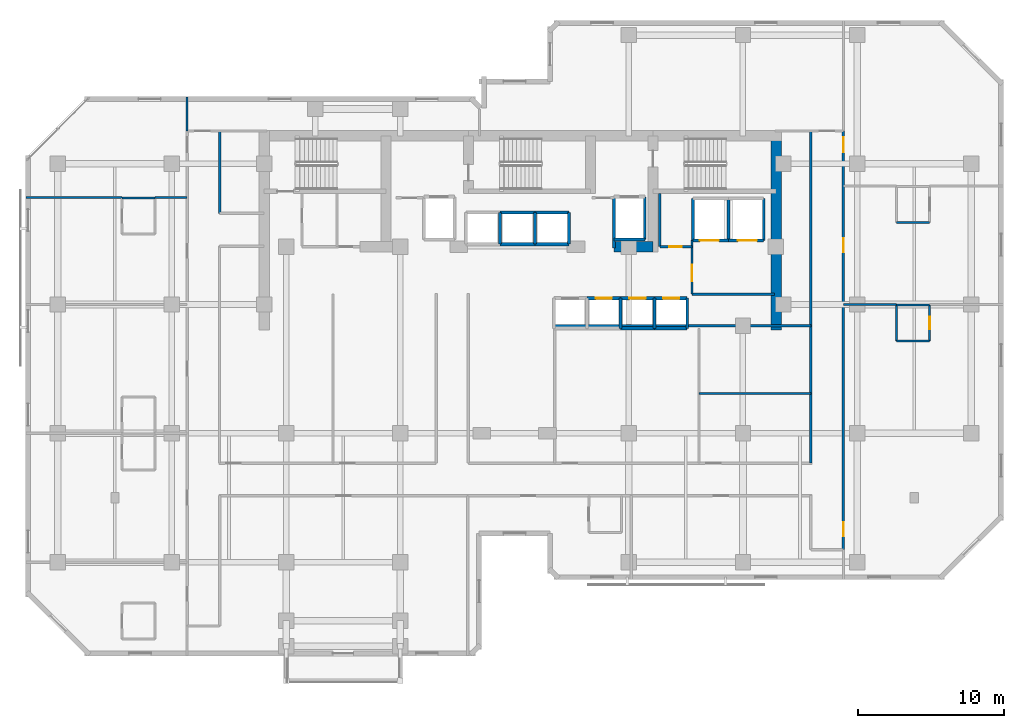
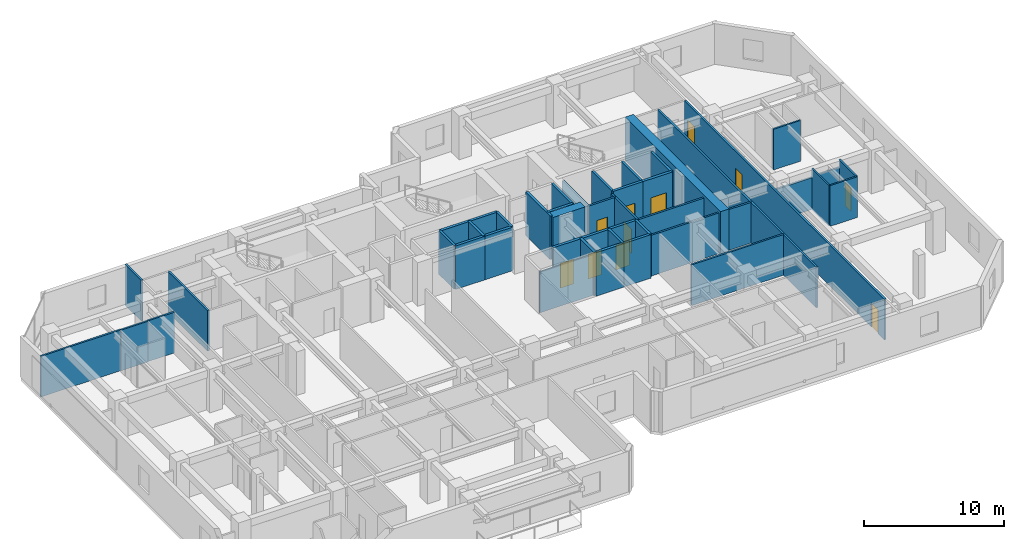
# One storey, part 7 of 11: 44 walls, 11 doors, 11 openings.
"""IFC4 building model written with IfcOpenShell, lengths in metres."""

from ifc_helpers import new_model, si_unit, direction, frame, frame_2d, origin, place, context, subcontext, project, spatial, rectangle, extrude, material, layer, layer_set, type_object, element, fill, save


model = new_model("IFC4")

# Units and contexts
model_context = context("Model", 3, precision=1e-05, world=origin(), true_north=direction((0.0, 1.0)))
body_context = subcontext(model_context, "Body", "Model", "MODEL_VIEW")
ifc_project = project(units=[si_unit("LENGTHUNIT", "METRE"), si_unit("AREAUNIT", "SQUARE_METRE"), si_unit("VOLUMEUNIT", "CUBIC_METRE"), si_unit("PLANEANGLEUNIT", "RADIAN"), si_unit("MASSUNIT", "GRAM", prefix="KILO")], contexts=[model_context])

# Site, building, storey
site_placement = place(None, origin())
site = spatial("IfcSite", under=ifc_project, at=site_placement, CompositionType="ELEMENT")
building_placement = place(site_placement, origin())
building = spatial("IfcBuilding", under=site, at=building_placement, Name="Kestravale Grand Hotel", CompositionType="ELEMENT")
storey_placement = place(building_placement, frame((0.0, 0.0, 165.0)))
storey = spatial("IfcBuildingStorey", under=building, at=storey_placement, Name="L41", CompositionType="ELEMENT", Elevation=165.0)

# Walls
ifc_material_1 = material(Name="Concrete f'c 60 MPa", Category="concrete")
ifc_layer_1 = layer(ifc_material_1, 0.699951171875)
ifc_layer_set_1 = layer_set([ifc_layer_1], Name="EW-CORE-700")
wall_type_1 = type_object("IfcWallType", Name="EW-CORE-700", PredefinedType="SHEAR", material=ifc_layer_set_1)
wall_1_placement = place(storey_placement, frame((56.8701171875, 27.050048828125, 0.0), z_axis=(0.0, 0.0, 1.0), x_axis=(0.0, 1.0, 0.0)))
element("IfcWall", 1, at=wall_1_placement, inside=storey, type_object=wall_type_1, Name="L41 core shear wall E1", PredefinedType="SHEAR", context=body_context, shape_type="SweptSolid", body=[
    extrude(rectangle(XDim=13.619873046875, YDim=0.699951171875, at=frame_2d((6.81005859375, 0.0))), origin(), (0.0, 0.0, 1.0), 3.800048828125),
])
wall_2_placement = place(storey_placement, frame((45.81005859375, 32.75, 0.0), z_axis=(0.0, 0.0, 1.0), x_axis=(1.0, 0.0, 0.0)))
element("IfcWall", 2, at=wall_2_placement, inside=storey, type_object=wall_type_1, Name="L41 core shear wall S2", PredefinedType="SHEAR", context=body_context, shape_type="SweptSolid", body=[
    extrude(rectangle(XDim=2.639892578125, YDim=0.699951171875, at=frame_2d((1.31982421875, 0.0))), origin(), (0.0, 0.0, 1.0), 3.800048828125),
])

# Wall, opening, door
ifc_material_2 = material(Name="Acoustic fire-rated gypsum board partition", Category="other")
ifc_layer_2 = layer(ifc_material_2, 0.159912109375)
ifc_layer_set_2 = layer_set([ifc_layer_2], Name="IW-CORR-160")
wall_type_2 = type_object("IfcWallType", Name="IW-CORR-160", PredefinedType="PARTITIONING", material=ifc_layer_set_2)
wall_3_placement = place(storey_placement, frame((51.1201171875, 29.5, 0.0), z_axis=(0.0, 0.0, 1.0), x_axis=(0.0, 1.0, 0.0)))
wall_3 = element("IfcWall", 3, at=wall_3_placement, inside=storey, type_object=wall_type_2, Name="W-L41-SVCLOB-W", PredefinedType="PARTITIONING", context=body_context, shape_type="SweptSolid", body=[
    extrude(rectangle(XDim=3.699951171875, YDim=0.159912109375, at=frame_2d((1.85009765625, 0.0))), origin(), (0.0, 0.0, 1.0), 3.550048828125),
])
opening_1_placement = place(wall_3_placement, frame((0.89990234375, 0.0, 0.0)))
opening_1 = element("IfcOpeningElement", 4, at=opening_1_placement, cuts=wall_3, Name="Opening D-CORR-1100", PredefinedType="OPENING", context=body_context, shape_type="SweptSolid", body=[
    extrude(rectangle(XDim=1.10009765625, YDim=2.14990234375, at=frame_2d((0.550048828125, 1.074951171875))), frame((0.0, 0.08984375, 0.0), z_axis=(0.0, -1.0, 0.0), x_axis=(1.0, 0.0, 0.0)), (0.0, 0.0, 1.0), 0.179931640625),
])
ifc_material_3 = material(Name="Single-leaf service vestibule fire door", Category="steel")
door_type_1 = type_object("IfcDoorType", Name="D-CORR-1100", OperationType="NOTDEFINED", PredefinedType="DOOR", material=ifc_material_3)
door_1_placement = place(opening_1_placement, origin())
door_1 = element("IfcDoor", 5, at=door_1_placement, inside=storey, type_object=door_type_1, Name="L41 service lift lobby door", OperationType="SINGLE_SWING_LEFT", OverallHeight=2.14990234375, OverallWidth=1.10009765625, PredefinedType="DOOR", context=body_context, shape_type="SweptSolid", body=[
    extrude(rectangle(XDim=1.10009765625, YDim=2.14990234375, at=frame_2d((0.550048828125, 1.074951171875))), frame((0.0, 0.02490234375, 0.0), z_axis=(0.0, -1.0, 0.0), x_axis=(1.0, 0.0, 0.0)), (0.0, 0.0, 1.0), 0.050048828125),
])
fill(opening_1, door_1)

# Wall
wall_4_placement = place(storey_placement, frame((51.1201171875, 29.5, 0.0), z_axis=(0.0, 0.0, 1.0), x_axis=(1.0, 0.0, 0.0)))
element("IfcWall", 6, at=wall_4_placement, inside=storey, type_object=wall_type_2, Name="L41 service lift lobby wall", PredefinedType="PARTITIONING", context=body_context, shape_type="SweptSolid", body=[
    extrude(rectangle(XDim=5.6298828125, YDim=0.159912109375, at=frame_2d((2.81494140625, 0.0))), origin(), (0.0, 0.0, 1.0), 3.550048828125),
])

# Wall, opening, door
wall_5_placement = place(storey_placement, frame((48.919921875, 32.75, 0.0), z_axis=(0.0, 0.0, 1.0), x_axis=(1.0, 0.0, 0.0)))
wall_5 = element("IfcWall", 7, at=wall_5_placement, inside=storey, type_object=wall_type_2, Name="W-L41-CES", PredefinedType="PARTITIONING", context=body_context, shape_type="SweptSolid", body=[
    extrude(rectangle(XDim=2.2001953125, YDim=0.159912109375, at=frame_2d((1.10009765625, 0.0))), origin(), (0.0, 0.0, 1.0), 3.550048828125),
])
opening_2_placement = place(wall_5_placement, frame((0.64990234375, 0.0, 0.0)))
opening_2 = element("IfcOpeningElement", 8, at=opening_2_placement, cuts=wall_5, Name="Opening D-SH-860", PredefinedType="OPENING", context=body_context, shape_type="SweptSolid", body=[
    extrude(rectangle(XDim=0.860107421875, YDim=2.050048828125, at=frame_2d((0.43017578125, 1.02490234375))), frame((0.0, 0.08984375, 0.0), z_axis=(0.0, -1.0, 0.0), x_axis=(1.0, 0.0, 0.0)), (0.0, 0.0, 1.0), 0.179931640625),
])
ifc_material_4 = material(Name="Galvanised 90-minute riser fire door", Category="steel")
door_type_2 = type_object("IfcDoorType", Name="D-SH-860", OperationType="NOTDEFINED", PredefinedType="DOOR", material=ifc_material_4)
door_2_placement = place(opening_2_placement, origin())
door_2 = element("IfcDoor", 9, at=door_2_placement, inside=storey, type_object=door_type_2, Name="L41 CSTO1 door", OperationType="SINGLE_SWING_RIGHT", OverallHeight=2.050048828125, OverallWidth=0.860107421875, PredefinedType="DOOR", context=body_context, shape_type="SweptSolid", body=[
    extrude(rectangle(XDim=0.860107421875, YDim=2.050048828125, at=frame_2d((0.43017578125, 1.02490234375))), frame((0.0, 0.02490234375, 0.0), z_axis=(0.0, -1.0, 0.0), x_axis=(1.0, 0.0, 0.0)), (0.0, 0.0, 1.0), 0.050048828125),
])
fill(opening_2, door_2)

# Wall
wall_6_placement = place(storey_placement, frame((18.860107421875, 35.02001953125, 0.0), z_axis=(0.0, 0.0, 1.0), x_axis=(0.0, 1.0, 0.0)))
element("IfcWall", 10, at=wall_6_placement, inside=storey, type_object=wall_type_2, Name="W-L41-SW-EN", PredefinedType="PARTITIONING", context=body_context, shape_type="SweptSolid", body=[
    extrude(rectangle(XDim=5.6298828125, YDim=0.159912109375, at=frame_2d((2.81494140625, 0.0))), origin(), (0.0, 0.0, 1.0), 3.550048828125),
])

# Wall, openings, doors
wall_7_placement = place(storey_placement, frame((61.4599609375, 12.050048828125, 0.0), z_axis=(0.0, 0.0, 1.0), x_axis=(0.0, 1.0, 0.0)))
wall_7 = element("IfcWall", 11, at=wall_7_placement, inside=storey, type_object=wall_type_2, Name="W-L41-SE-E", PredefinedType="PARTITIONING", context=body_context, shape_type="SweptSolid", body=[
    extrude(rectangle(XDim=28.599853515625, YDim=0.159912109375, at=frame_2d((14.2998046875, 0.0))), origin(), (0.0, 0.0, 1.0), 3.550048828125),
])
opening_3_placement = place(wall_7_placement, frame((0.925048828125, 0.0, 0.0)))
opening_3 = element("IfcOpeningElement", 12, at=opening_3_placement, cuts=wall_7, Name="Opening D-GUEST-950", PredefinedType="OPENING", context=body_context, shape_type="SweptSolid", body=[
    extrude(rectangle(XDim=0.949951171875, YDim=2.10009765625, at=frame_2d((0.47509765625, 1.050048828125))), frame((0.0, 0.08984375, 0.0), z_axis=(0.0, -1.0, 0.0), x_axis=(1.0, 0.0, 0.0)), (0.0, 0.0, 1.0), 0.179931640625),
])
opening_4_placement = place(wall_7_placement, frame((20.324951171875, 0.0, 0.0)))
opening_4 = element("IfcOpeningElement", 13, at=opening_4_placement, cuts=wall_7, Name="Opening D-GUEST-950", PredefinedType="OPENING", context=body_context, shape_type="SweptSolid", body=[
    extrude(rectangle(XDim=0.949951171875, YDim=2.10009765625, at=frame_2d((0.47509765625, 1.050048828125))), frame((0.0, 0.08984375, 0.0), z_axis=(0.0, -1.0, 0.0), x_axis=(1.0, 0.0, 0.0)), (0.0, 0.0, 1.0), 0.179931640625),
])
opening_5_placement = place(wall_7_placement, frame((27.159912109375, 0.0, 0.0)))
opening_5 = element("IfcOpeningElement", 14, at=opening_5_placement, cuts=wall_7, Name="Opening D-GUEST-1000", PredefinedType="OPENING", context=body_context, shape_type="SweptSolid", body=[
    extrude(rectangle(XDim=1.0, YDim=2.14990234375, at=frame_2d((0.5, 1.074951171875))), frame((0.0, 0.08984375, 0.0), z_axis=(0.0, -1.0, 0.0), x_axis=(1.0, 0.0, 0.0)), (0.0, 0.0, 1.0), 0.179931640625),
])
ifc_material_5 = material(Name="Accessible walnut veneer hotel entrance fire door", Category="wood")
door_type_3 = type_object("IfcDoorType", Name="D-GUEST-1000", OperationType="NOTDEFINED", PredefinedType="DOOR", material=ifc_material_5)
door_3_placement = place(opening_5_placement, origin())
door_3 = element("IfcDoor", 15, at=door_3_placement, inside=storey, type_object=door_type_3, Name="D-L41-AMEW", OperationType="SINGLE_SWING_RIGHT", OverallHeight=2.14990234375, OverallWidth=1.0, PredefinedType="DOOR", context=body_context, shape_type="SweptSolid", body=[
    extrude(rectangle(XDim=1.0, YDim=2.14990234375, at=frame_2d((0.5, 1.074951171875))), frame((0.0, 0.02490234375, 0.0), z_axis=(0.0, -1.0, 0.0), x_axis=(1.0, 0.0, 0.0)), (0.0, 0.0, 1.0), 0.050048828125),
])
fill(opening_5, door_3)
ifc_material_6 = material(Name="Walnut veneer hotel guestroom entrance fire door", Category="wood")
door_type_4 = type_object("IfcDoorType", Name="D-GUEST-950", OperationType="NOTDEFINED", PredefinedType="DOOR", material=ifc_material_6)
door_4_placement = place(opening_3_placement, origin())
door_4 = element("IfcDoor", 16, at=door_4_placement, inside=storey, type_object=door_type_4, Name="D-L41-U06-ENT", OperationType="SINGLE_SWING_LEFT", OverallHeight=2.10009765625, OverallWidth=0.949951171875, PredefinedType="DOOR", context=body_context, shape_type="SweptSolid", body=[
    extrude(rectangle(XDim=0.949951171875, YDim=2.10009765625, at=frame_2d((0.47509765625, 1.050048828125))), frame((0.0, 0.02490234375, 0.0), z_axis=(0.0, -1.0, 0.0), x_axis=(1.0, 0.0, 0.0)), (0.0, 0.0, 1.0), 0.050048828125),
])
fill(opening_3, door_4)
door_5_placement = place(opening_4_placement, origin())
door_5 = element("IfcDoor", 17, at=door_5_placement, inside=storey, type_object=door_type_4, Name="D-L41-U07-ENT", OperationType="SINGLE_SWING_LEFT", OverallHeight=2.10009765625, OverallWidth=0.949951171875, PredefinedType="DOOR", context=body_context, shape_type="SweptSolid", body=[
    extrude(rectangle(XDim=0.949951171875, YDim=2.10009765625, at=frame_2d((0.47509765625, 1.050048828125))), frame((0.0, 0.02490234375, 0.0), z_axis=(0.0, -1.0, 0.0), x_axis=(1.0, 0.0, 0.0)), (0.0, 0.0, 1.0), 0.050048828125),
])
fill(opening_4, door_5)

# Walls
wall_8_placement = place(storey_placement, frame((59.239990234375, 17.9599609375, 0.0), z_axis=(0.0, 0.0, 1.0), x_axis=(0.0, 1.0, 0.0)))
element("IfcWall", 18, at=wall_8_placement, inside=storey, type_object=wall_type_2, Name="W-L41-SE-WU", PredefinedType="PARTITIONING", context=body_context, shape_type="SweptSolid", body=[
    extrude(rectangle(XDim=22.68994140625, YDim=0.159912109375, at=frame_2d((11.344970703125, 0.0))), origin(), (0.0, 0.0, 1.0), 3.550048828125),
])
ifc_material_7 = material(Name="Moisture-resistant tile-backer plumbing chase wall", Category="other")
ifc_layer_3 = layer(ifc_material_7, 0.139892578125)
ifc_layer_set_3 = layer_set([ifc_layer_3], Name="IW-PLB-140")
wall_type_3 = type_object("IfcWallType", Name="IW-PLB-140", PredefinedType="PLUMBINGWALL", material=ifc_layer_set_3)
wall_9_placement = place(storey_placement, frame((12.199951171875, 36.06005859375, 0.0), z_axis=(0.0, 0.0, 1.0), x_axis=(1.0, 0.0, 0.0)))
element("IfcWall", 19, at=wall_9_placement, inside=storey, type_object=wall_type_3, Name="W-L41-U05-BN", PredefinedType="PLUMBINGWALL", context=body_context, shape_type="SweptSolid", body=[
    extrude(rectangle(XDim=2.25, YDim=0.139892578125, at=frame_2d((1.125, 0.0))), origin(), (0.0, 0.0, 1.0), 3.550048828125),
])
wall_10_placement = place(storey_placement, frame((65.10009765625, 26.31005859375, 0.0), z_axis=(0.0, 0.0, 1.0), x_axis=(0.0, 1.0, 0.0)))
element("IfcWall", 20, at=wall_10_placement, inside=storey, type_object=wall_type_3, Name="W-L41-U06-BW", PredefinedType="PLUMBINGWALL", context=body_context, shape_type="SweptSolid", body=[
    extrude(rectangle(XDim=2.449951171875, YDim=0.139892578125, at=frame_2d((1.22509765625, 0.0))), origin(), (0.0, 0.0, 1.0), 3.550048828125),
])

# Wall, opening, door
wall_11_placement = place(storey_placement, frame((67.35009765625, 26.31005859375, 0.0), z_axis=(0.0, 0.0, 1.0), x_axis=(0.0, 1.0, 0.0)))
wall_11 = element("IfcWall", 21, at=wall_11_placement, inside=storey, type_object=wall_type_3, Name="W-L41-U06-BE", PredefinedType="PLUMBINGWALL", context=body_context, shape_type="SweptSolid", body=[
    extrude(rectangle(XDim=2.449951171875, YDim=0.139892578125, at=frame_2d((1.22509765625, 0.0))), origin(), (0.0, 0.0, 1.0), 3.550048828125),
])
opening_6_placement = place(wall_11_placement, frame((0.784912109375, 0.0, 0.0)))
opening_6 = element("IfcOpeningElement", 22, at=opening_6_placement, cuts=wall_11, Name="Opening D-BATH-880", PredefinedType="OPENING", context=body_context, shape_type="SweptSolid", body=[
    extrude(rectangle(XDim=0.8798828125, YDim=2.050048828125, at=frame_2d((0.43994140625, 1.02490234375))), frame((0.0, 0.079833984375, 0.0), z_axis=(0.0, -1.0, 0.0), x_axis=(1.0, 0.0, 0.0)), (0.0, 0.0, 1.0), 0.159912109375),
])
ifc_material_8 = material(Name="Moisture-sealed walnut en-suite bathroom door", Category="wood")
door_type_5 = type_object("IfcDoorType", Name="D-BATH-880", OperationType="NOTDEFINED", PredefinedType="DOOR", material=ifc_material_8)
door_6_placement = place(opening_6_placement, origin())
door_6 = element("IfcDoor", 23, at=door_6_placement, inside=storey, type_object=door_type_5, Name="D-L41-U06-BATH", OperationType="SINGLE_SWING_RIGHT", OverallHeight=2.050048828125, OverallWidth=0.8798828125, PredefinedType="DOOR", context=body_context, shape_type="SweptSolid", body=[
    extrude(rectangle(XDim=0.8798828125, YDim=2.050048828125, at=frame_2d((0.43994140625, 1.02490234375))), frame((0.0, 0.02490234375, 0.0), z_axis=(0.0, -1.0, 0.0), x_axis=(1.0, 0.0, 0.0)), (0.0, 0.0, 1.0), 0.050048828125),
])
fill(opening_6, door_6)

# Walls
wall_12_placement = place(storey_placement, frame((65.10009765625, 26.31005859375, 0.0), z_axis=(0.0, 0.0, 1.0), x_axis=(1.0, 0.0, 0.0)))
element("IfcWall", 24, at=wall_12_placement, inside=storey, type_object=wall_type_3, Name="W-L41-U06-BS", PredefinedType="PLUMBINGWALL", context=body_context, shape_type="SweptSolid", body=[
    extrude(rectangle(XDim=2.25, YDim=0.139892578125, at=frame_2d((1.125, 0.0))), origin(), (0.0, 0.0, 1.0), 3.550048828125),
])
wall_13_placement = place(storey_placement, frame((65.10009765625, 28.760009765625, 0.0), z_axis=(0.0, 0.0, 1.0), x_axis=(1.0, 0.0, 0.0)))
element("IfcWall", 25, at=wall_13_placement, inside=storey, type_object=wall_type_3, Name="W-L41-U06-BN", PredefinedType="PLUMBINGWALL", context=body_context, shape_type="SweptSolid", body=[
    extrude(rectangle(XDim=2.25, YDim=0.139892578125, at=frame_2d((1.125, 0.0))), origin(), (0.0, 0.0, 1.0), 2.89990234375),
])
wall_14_placement = place(storey_placement, frame((65.10009765625, 34.409912109375, 0.0), z_axis=(0.0, 0.0, 1.0), x_axis=(1.0, 0.0, 0.0)))
element("IfcWall", 26, at=wall_14_placement, inside=storey, type_object=wall_type_3, Name="W-L41-U07-BS", PredefinedType="PLUMBINGWALL", context=body_context, shape_type="SweptSolid", body=[
    extrude(rectangle(XDim=2.25, YDim=0.139892578125, at=frame_2d((1.125, 0.0))), origin(), (0.0, 0.0, 1.0), 3.550048828125),
])
ifc_material_9 = material(Name="Concrete f'c 45 MPa", Category="concrete")
ifc_layer_4 = layer(ifc_material_9, 0.199951171875)
ifc_layer_set_4 = layer_set([ifc_layer_4], Name="IW-SHAFT-200")
wall_type_4 = type_object("IfcWallType", Name="IW-SHAFT-200", PredefinedType="SHEAR", material=ifc_layer_set_4)
for number, where, z_axis, x_axis, name in (
    (27, (46.25, 27.169921875, 0.0), (0.0, 0.0, 1.0), (0.0, 1.0, 0.0), "L41 PL-M3 west shaft wall"),
    (28, (48.550048828125, 27.169921875, 0.0), (0.0, 0.0, 1.0), (0.0, 1.0, 0.0), "L41 PL-M4 west shaft wall"),
    (29, (50.794921875, 27.169921875, 0.0), (0.0, 0.0, 1.0), (0.0, 1.0, 0.0), "L41 PL-M4 east shaft wall"),
):
    element("IfcWall", number, at=place(storey_placement, frame(where, z_axis=z_axis, x_axis=x_axis)), inside=storey, type_object=wall_type_4, Name=name, PredefinedType="SHEAR", context=body_context, shape_type="SweptSolid", body=[
        extrude(rectangle(XDim=2.06005859375, YDim=0.199951171875, at=frame_2d((1.030029296875, 0.0))), origin(), (0.0, 0.0, 1.0), 3.800048828125),
    ])
for number, where, z_axis, x_axis, name in (
    (30, (38.0, 32.919921875, 0.0), (0.0, 0.0, 1.0), (0.0, 1.0, 0.0), "L41 PL-X2 west shaft wall"),
    (31, (40.39990234375, 32.919921875, 0.0), (0.0, 0.0, 1.0), (0.0, 1.0, 0.0), "L41 PL-X3 west shaft wall"),
    (32, (42.719970703125, 32.919921875, 0.0), (0.0, 0.0, 1.0), (0.0, 1.0, 0.0), "L41 PL-X3 east shaft wall"),
):
    element("IfcWall", number, at=place(storey_placement, frame(where, z_axis=z_axis, x_axis=x_axis)), inside=storey, type_object=wall_type_4, Name=name, PredefinedType="SHEAR", context=body_context, shape_type="SweptSolid", body=[
        extrude(rectangle(XDim=2.16015625, YDim=0.199951171875, at=frame_2d((1.080078125, 0.0))), origin(), (0.0, 0.0, 1.0), 3.800048828125),
    ])
for number, where, z_axis, x_axis, name in (
    (33, (51.179931640625, 33.169921875, 0.0), (0.0, 0.0, 1.0), (0.0, 1.0, 0.0), "L41 SL-1 west shaft wall"),
    (34, (53.60009765625, 33.169921875, 0.0), (0.0, 0.0, 1.0), (0.0, 1.0, 0.0), "L41 SL-2 west shaft wall"),
    (35, (56.02001953125, 33.169921875, 0.0), (0.0, 0.0, 1.0), (0.0, 1.0, 0.0), "L41 SL-2 east shaft wall"),
):
    element("IfcWall", number, at=place(storey_placement, frame(where, z_axis=z_axis, x_axis=x_axis)), inside=storey, type_object=wall_type_4, Name=name, PredefinedType="SHEAR", context=body_context, shape_type="SweptSolid", body=[
        extrude(rectangle(XDim=2.860107421875, YDim=0.199951171875, at=frame_2d((1.43017578125, 0.0))), origin(), (0.0, 0.0, 1.0), 3.800048828125),
    ])
wall_15_placement = place(storey_placement, frame((45.804931640625, 32.64990234375, 0.0), z_axis=(0.0, 0.0, 1.0), x_axis=(0.0, 1.0, 0.0)))
element("IfcWall", 36, at=wall_15_placement, inside=storey, type_object=wall_type_4, Name="L41 FL-2 west shaft wall", PredefinedType="SHEAR", context=body_context, shape_type="SweptSolid", body=[
    extrude(rectangle(XDim=3.505126953125, YDim=0.199951171875, at=frame_2d((1.75244140625, 0.0))), origin(), (0.0, 0.0, 1.0), 3.800048828125),
])
wall_16_placement = place(storey_placement, frame((47.89501953125, 33.2451171875, 0.0), z_axis=(0.0, 0.0, 1.0), x_axis=(0.0, 1.0, 0.0)))
element("IfcWall", 37, at=wall_16_placement, inside=storey, type_object=wall_type_4, Name="L41 FL-2 east shaft wall", PredefinedType="SHEAR", context=body_context, shape_type="SweptSolid", body=[
    extrude(rectangle(XDim=2.909912109375, YDim=0.199951171875, at=frame_2d((1.455078125, 0.0))), origin(), (0.0, 0.0, 1.0), 3.800048828125),
])

# Wall, opening, door
ifc_material_10 = material(Name="Concrete f'c 45 MPa", Category="concrete")
ifc_layer_5 = layer(ifc_material_10, 0.219970703125)
ifc_layer_set_5 = layer_set([ifc_layer_5], Name="IW-SHAFT-220")
wall_type_5 = type_object("IfcWallType", Name="IW-SHAFT-220", PredefinedType="SHEAR", material=ifc_layer_set_5)
wall_17_placement = place(storey_placement, frame((43.949951171875, 29.22998046875, 0.0), z_axis=(0.0, 0.0, 1.0), x_axis=(1.0, 0.0, 0.0)))
wall_17 = element("IfcWall", 38, at=wall_17_placement, inside=storey, type_object=wall_type_5, Name="L41 PL-M2 north shaft wall", PredefinedType="SHEAR", context=body_context, shape_type="SweptSolid", body=[
    extrude(rectangle(XDim=2.300048828125, YDim=0.219970703125, at=frame_2d((1.14990234375, 0.0))), origin(), (0.0, 0.0, 1.0), 3.800048828125),
])
opening_7_placement = place(wall_17_placement, frame((0.60009765625, 0.0, 0.0)))
opening_7 = element("IfcOpeningElement", 39, at=opening_7_placement, cuts=wall_17, Name="Opening LD-PAX-1100", PredefinedType="OPENING", context=body_context, shape_type="SweptSolid", body=[
    extrude(rectangle(XDim=1.10009765625, YDim=2.14990234375, at=frame_2d((0.550048828125, 1.074951171875))), frame((0.0, 0.119873046875, 0.0), z_axis=(0.0, -1.0, 0.0), x_axis=(1.0, 0.0, 0.0)), (0.0, 0.0, 1.0), 0.239990234375),
])
ifc_material_11 = material(Name="Champagne-bronze center-opening sliding elevator landing door", Category="steel")
door_type_6 = type_object("IfcDoorType", Name="LD-PAX-1100", OperationType="NOTDEFINED", PredefinedType="DOOR", material=ifc_material_11)
door_7_placement = place(opening_7_placement, origin())
door_7 = element("IfcDoor", 40, at=door_7_placement, inside=storey, type_object=door_type_6, Name="L41 PL-M2 elevator landing sliding door", OperationType="DOUBLE_DOOR_SLIDING", OverallHeight=2.14990234375, OverallWidth=1.10009765625, PredefinedType="DOOR", context=body_context, shape_type="SweptSolid", body=[
    extrude(rectangle(XDim=1.10009765625, YDim=2.14990234375, at=frame_2d((0.550048828125, 1.074951171875))), frame((0.0, 0.02490234375, 0.0), z_axis=(0.0, -1.0, 0.0), x_axis=(1.0, 0.0, 0.0)), (0.0, 0.0, 1.0), 0.050048828125),
])
fill(opening_7, door_7)

wall_18_placement = place(storey_placement, frame((46.25, 29.22998046875, 0.0), z_axis=(0.0, 0.0, 1.0), x_axis=(1.0, 0.0, 0.0)))
wall_18 = element("IfcWall", 41, at=wall_18_placement, inside=storey, type_object=wall_type_5, Name="L41 PL-M3 north shaft wall", PredefinedType="SHEAR", context=body_context, shape_type="SweptSolid", body=[
    extrude(rectangle(XDim=2.300048828125, YDim=0.219970703125, at=frame_2d((1.14990234375, 0.0))), origin(), (0.0, 0.0, 1.0), 3.800048828125),
])
opening_8_placement = place(wall_18_placement, frame((0.60009765625, 0.0, 0.0)))
opening_8 = element("IfcOpeningElement", 42, at=opening_8_placement, cuts=wall_18, Name="Opening LD-PAX-1100", PredefinedType="OPENING", context=body_context, shape_type="SweptSolid", body=[
    extrude(rectangle(XDim=1.10009765625, YDim=2.14990234375, at=frame_2d((0.550048828125, 1.074951171875))), frame((0.0, 0.119873046875, 0.0), z_axis=(0.0, -1.0, 0.0), x_axis=(1.0, 0.0, 0.0)), (0.0, 0.0, 1.0), 0.239990234375),
])
door_8_placement = place(opening_8_placement, origin())
door_8 = element("IfcDoor", 43, at=door_8_placement, inside=storey, type_object=door_type_6, Name="L41 PL-M3 elevator landing sliding door", OperationType="DOUBLE_DOOR_SLIDING", OverallHeight=2.14990234375, OverallWidth=1.10009765625, PredefinedType="DOOR", context=body_context, shape_type="SweptSolid", body=[
    extrude(rectangle(XDim=1.10009765625, YDim=2.14990234375, at=frame_2d((0.550048828125, 1.074951171875))), frame((0.0, 0.02490234375, 0.0), z_axis=(0.0, -1.0, 0.0), x_axis=(1.0, 0.0, 0.0)), (0.0, 0.0, 1.0), 0.050048828125),
])
fill(opening_8, door_8)

# Wall
wall_19_placement = place(storey_placement, frame((46.25, 27.169921875, 0.0), z_axis=(0.0, 0.0, 1.0), x_axis=(1.0, 0.0, 0.0)))
element("IfcWall", 44, at=wall_19_placement, inside=storey, type_object=wall_type_5, Name="L41 PL-M3 south shaft wall", PredefinedType="SHEAR", context=body_context, shape_type="SweptSolid", body=[
    extrude(rectangle(XDim=2.300048828125, YDim=0.219970703125, at=frame_2d((1.14990234375, 0.0))), origin(), (0.0, 0.0, 1.0), 3.800048828125),
])

# Wall, opening, door
wall_20_placement = place(storey_placement, frame((48.550048828125, 29.22998046875, 0.0), z_axis=(0.0, 0.0, 1.0), x_axis=(1.0, 0.0, 0.0)))
wall_20 = element("IfcWall", 45, at=wall_20_placement, inside=storey, type_object=wall_type_5, Name="L41 PL-M4 north shaft wall", PredefinedType="SHEAR", context=body_context, shape_type="SweptSolid", body=[
    extrude(rectangle(XDim=2.244873046875, YDim=0.219970703125, at=frame_2d((1.12255859375, 0.0))), origin(), (0.0, 0.0, 1.0), 3.800048828125),
])
opening_9_placement = place(wall_20_placement, frame((0.60009765625, 0.0, 0.0)))
opening_9 = element("IfcOpeningElement", 46, at=opening_9_placement, cuts=wall_20, Name="Opening LD-PAX-1100", PredefinedType="OPENING", context=body_context, shape_type="SweptSolid", body=[
    extrude(rectangle(XDim=1.10009765625, YDim=2.14990234375, at=frame_2d((0.550048828125, 1.074951171875))), frame((0.0, 0.119873046875, 0.0), z_axis=(0.0, -1.0, 0.0), x_axis=(1.0, 0.0, 0.0)), (0.0, 0.0, 1.0), 0.239990234375),
])
door_9_placement = place(opening_9_placement, origin())
door_9 = element("IfcDoor", 47, at=door_9_placement, inside=storey, type_object=door_type_6, Name="L41 PL-M4 elevator landing sliding door", OperationType="DOUBLE_DOOR_SLIDING", OverallHeight=2.14990234375, OverallWidth=1.10009765625, PredefinedType="DOOR", context=body_context, shape_type="SweptSolid", body=[
    extrude(rectangle(XDim=1.10009765625, YDim=2.14990234375, at=frame_2d((0.550048828125, 1.074951171875))), frame((0.0, 0.02490234375, 0.0), z_axis=(0.0, -1.0, 0.0), x_axis=(1.0, 0.0, 0.0)), (0.0, 0.0, 1.0), 0.050048828125),
])
fill(opening_9, door_9)

# Walls
wall_21_placement = place(storey_placement, frame((48.550048828125, 27.169921875, 0.0), z_axis=(0.0, 0.0, 1.0), x_axis=(1.0, 0.0, 0.0)))
element("IfcWall", 48, at=wall_21_placement, inside=storey, type_object=wall_type_5, Name="L41 PL-M4 south shaft wall", PredefinedType="SHEAR", context=body_context, shape_type="SweptSolid", body=[
    extrude(rectangle(XDim=2.244873046875, YDim=0.219970703125, at=frame_2d((1.12255859375, 0.0))), origin(), (0.0, 0.0, 1.0), 3.800048828125),
])
for number, where, z_axis, x_axis, name in (
    (49, (38.0, 35.080078125, 0.0), (0.0, 0.0, 1.0), (1.0, 0.0, 0.0), "L41 PL-X2 north shaft wall"),
    (50, (38.0, 32.919921875, 0.0), (0.0, 0.0, 1.0), (1.0, 0.0, 0.0), "L41 PL-X2 south shaft wall"),
):
    element("IfcWall", number, at=place(storey_placement, frame(where, z_axis=z_axis, x_axis=x_axis)), inside=storey, type_object=wall_type_5, Name=name, PredefinedType="SHEAR", context=body_context, shape_type="SweptSolid", body=[
        extrude(rectangle(XDim=2.39990234375, YDim=0.219970703125, at=frame_2d((1.199951171875, 0.0))), origin(), (0.0, 0.0, 1.0), 3.800048828125),
    ])
for number, where, z_axis, x_axis, name in (
    (51, (40.39990234375, 35.080078125, 0.0), (0.0, 0.0, 1.0), (1.0, 0.0, 0.0), "L41 PL-X3 north shaft wall"),
    (52, (40.39990234375, 32.919921875, 0.0), (0.0, 0.0, 1.0), (1.0, 0.0, 0.0), "L41 PL-X3 south shaft wall"),
):
    element("IfcWall", number, at=place(storey_placement, frame(where, z_axis=z_axis, x_axis=x_axis)), inside=storey, type_object=wall_type_5, Name=name, PredefinedType="SHEAR", context=body_context, shape_type="SweptSolid", body=[
        extrude(rectangle(XDim=2.320068359375, YDim=0.219970703125, at=frame_2d((1.16015625, 0.0))), origin(), (0.0, 0.0, 1.0), 3.800048828125),
    ])

# Wall, opening, door
wall_22_placement = place(storey_placement, frame((51.179931640625, 33.169921875, 0.0), z_axis=(0.0, 0.0, 1.0), x_axis=(1.0, 0.0, 0.0)))
wall_22 = element("IfcWall", 53, at=wall_22_placement, inside=storey, type_object=wall_type_5, Name="L41 SL-1 south shaft wall", PredefinedType="SHEAR", context=body_context, shape_type="SweptSolid", body=[
    extrude(rectangle(XDim=2.420166015625, YDim=0.219970703125, at=frame_2d((1.2099609375, 0.0))), origin(), (0.0, 0.0, 1.0), 3.800048828125),
])
opening_10_placement = place(wall_22_placement, frame((0.469970703125, 0.0, 0.0)))
opening_10 = element("IfcOpeningElement", 54, at=opening_10_placement, cuts=wall_22, Name="Opening LD-SVC-1300", PredefinedType="OPENING", context=body_context, shape_type="SweptSolid", body=[
    extrude(rectangle(XDim=1.300048828125, YDim=2.14990234375, at=frame_2d((0.64990234375, 1.074951171875))), frame((0.0, 0.119873046875, 0.0), z_axis=(0.0, -1.0, 0.0), x_axis=(1.0, 0.0, 0.0)), (0.0, 0.0, 1.0), 0.239990234375),
])
ifc_material_12 = material(Name="Heavy-duty service sliding elevator landing door", Category="steel")
door_type_7 = type_object("IfcDoorType", Name="LD-SVC-1300", OperationType="NOTDEFINED", PredefinedType="DOOR", material=ifc_material_12)
door_10_placement = place(opening_10_placement, origin())
door_10 = element("IfcDoor", 55, at=door_10_placement, inside=storey, type_object=door_type_7, Name="L41 SL-1 elevator landing sliding door", OperationType="DOUBLE_DOOR_SLIDING", OverallHeight=2.14990234375, OverallWidth=1.300048828125, PredefinedType="DOOR", context=body_context, shape_type="SweptSolid", body=[
    extrude(rectangle(XDim=1.300048828125, YDim=2.14990234375, at=frame_2d((0.64990234375, 1.074951171875))), frame((0.0, 0.02490234375, 0.0), z_axis=(0.0, -1.0, 0.0), x_axis=(1.0, 0.0, 0.0)), (0.0, 0.0, 1.0), 0.050048828125),
])
fill(opening_10, door_10)

wall_23_placement = place(storey_placement, frame((53.60009765625, 33.169921875, 0.0), z_axis=(0.0, 0.0, 1.0), x_axis=(1.0, 0.0, 0.0)))
wall_23 = element("IfcWall", 56, at=wall_23_placement, inside=storey, type_object=wall_type_5, Name="L41 SL-2 south shaft wall", PredefinedType="SHEAR", context=body_context, shape_type="SweptSolid", body=[
    extrude(rectangle(XDim=2.419921875, YDim=0.219970703125, at=frame_2d((1.2099609375, 0.0))), origin(), (0.0, 0.0, 1.0), 3.800048828125),
])
opening_11_placement = place(wall_23_placement, frame((0.64990234375, 0.0, 0.0)))
opening_11 = element("IfcOpeningElement", 57, at=opening_11_placement, cuts=wall_23, Name="Opening LD-SVC-1300", PredefinedType="OPENING", context=body_context, shape_type="SweptSolid", body=[
    extrude(rectangle(XDim=1.300048828125, YDim=2.14990234375, at=frame_2d((0.64990234375, 1.074951171875))), frame((0.0, 0.119873046875, 0.0), z_axis=(0.0, -1.0, 0.0), x_axis=(1.0, 0.0, 0.0)), (0.0, 0.0, 1.0), 0.239990234375),
])
door_11_placement = place(opening_11_placement, origin())
door_11 = element("IfcDoor", 58, at=door_11_placement, inside=storey, type_object=door_type_7, Name="L41 SL-2 elevator landing sliding door", OperationType="DOUBLE_DOOR_SLIDING", OverallHeight=2.14990234375, OverallWidth=1.300048828125, PredefinedType="DOOR", context=body_context, shape_type="SweptSolid", body=[
    extrude(rectangle(XDim=1.300048828125, YDim=2.14990234375, at=frame_2d((0.64990234375, 1.074951171875))), frame((0.0, 0.02490234375, 0.0), z_axis=(0.0, -1.0, 0.0), x_axis=(1.0, 0.0, 0.0)), (0.0, 0.0, 1.0), 0.050048828125),
])
fill(opening_11, door_11)

# Walls
wall_24_placement = place(storey_placement, frame((45.804931640625, 33.2451171875, 0.0), z_axis=(0.0, 0.0, 1.0), x_axis=(1.0, 0.0, 0.0)))
element("IfcWall", 59, at=wall_24_placement, inside=storey, type_object=wall_type_5, Name="L41 FL-2 south shaft wall", PredefinedType="SHEAR", context=body_context, shape_type="SweptSolid", body=[
    extrude(rectangle(XDim=2.090087890625, YDim=0.219970703125, at=frame_2d((1.044921875, 0.0))), origin(), (0.0, 0.0, 1.0), 3.800048828125),
])
ifc_material_13 = material(Name="Double-stud STC 52 acoustic demising partition", Category="other")
ifc_layer_6 = layer(ifc_material_13, 0.14990234375)
ifc_layer_set_6 = layer_set([ifc_layer_6], Name="IW-UNIT-150")
wall_type_6 = type_object("IfcWallType", Name="IW-UNIT-150", PredefinedType="PARTITIONING", material=ifc_layer_set_6)
wall_25_placement = place(storey_placement, frame((48.919921875, 32.75, 0.0), z_axis=(0.0, 0.0, 1.0), x_axis=(0.0, 1.0, 0.0)))
element("IfcWall", 60, at=wall_25_placement, inside=storey, type_object=wall_type_6, Name="W-L41-CEW", PredefinedType="PARTITIONING", context=body_context, shape_type="SweptSolid", body=[
    extrude(rectangle(XDim=3.6201171875, YDim=0.14990234375, at=frame_2d((1.81005859375, 0.0))), origin(), (0.0, 0.0, 1.0), 3.550048828125),
])
wall_26_placement = place(storey_placement, frame((41.75, 27.35009765625, 0.0), z_axis=(0.0, 0.0, 1.0), x_axis=(1.0, 0.0, 0.0)))
element("IfcWall", 61, at=wall_26_placement, inside=storey, type_object=wall_type_6, Name="W-L41-RCLE-N", PredefinedType="PARTITIONING", context=body_context, shape_type="SweptSolid", body=[
    extrude(rectangle(XDim=17.489990234375, YDim=0.14990234375, at=frame_2d((8.7451171875, 0.0))), origin(), (0.0, 0.0, 1.0), 3.550048828125),
])
wall_27_placement = place(storey_placement, frame((51.60009765625, 22.719970703125, 0.0), z_axis=(0.0, 0.0, 1.0), x_axis=(1.0, 0.0, 0.0)))
element("IfcWall", 62, at=wall_27_placement, inside=storey, type_object=wall_type_6, Name="W-L41-RCLE-H", PredefinedType="PARTITIONING", context=body_context, shape_type="SweptSolid", body=[
    extrude(rectangle(XDim=7.639892578125, YDim=0.14990234375, at=frame_2d((3.81982421875, 0.0))), origin(), (0.0, 0.0, 1.0), 3.550048828125),
])
wall_28_placement = place(storey_placement, frame((16.639892578125, 40.64990234375, 0.0), z_axis=(0.0, 0.0, 1.0), x_axis=(0.0, 1.0, 0.0)))
element("IfcWall", 63, at=wall_28_placement, inside=storey, type_object=wall_type_6, Name="W-L41-NGW-W", PredefinedType="PARTITIONING", context=body_context, shape_type="SweptSolid", body=[
    extrude(rectangle(XDim=2.330078125, YDim=0.14990234375, at=frame_2d((1.1650390625, 0.0))), origin(), (0.0, 0.0, 1.0), 3.550048828125),
])
wall_29_placement = place(storey_placement, frame((5.6201171875, 36.10009765625, 0.0), z_axis=(0.0, 0.0, 1.0), x_axis=(1.0, 0.0, 0.0)))
element("IfcWall", 64, at=wall_29_placement, inside=storey, type_object=wall_type_6, Name="W-L41-WW-4", PredefinedType="PARTITIONING", context=body_context, shape_type="SweptSolid", body=[
    extrude(rectangle(XDim=6.579833984375, YDim=0.14990234375, at=frame_2d((3.2900390625, 0.0))), origin(), (0.0, 0.0, 1.0), 3.550048828125),
])
wall_30_placement = place(storey_placement, frame((14.449951171875, 36.10009765625, 0.0), z_axis=(0.0, 0.0, 1.0), x_axis=(1.0, 0.0, 0.0)))
element("IfcWall", 65, at=wall_30_placement, inside=storey, type_object=wall_type_6, Name="W-L41-WW-4", PredefinedType="PARTITIONING", context=body_context, shape_type="SweptSolid", body=[
    extrude(rectangle(XDim=2.18994140625, YDim=0.14990234375, at=frame_2d((1.094970703125, 0.0))), origin(), (0.0, 0.0, 1.0), 3.550048828125),
])
wall_31_placement = place(storey_placement, frame((61.4599609375, 28.800048828125, 0.0), z_axis=(0.0, 0.0, 1.0), x_axis=(1.0, 0.0, 0.0)))
element("IfcWall", 66, at=wall_31_placement, inside=storey, type_object=wall_type_6, Name="W-L41-EW-1", PredefinedType="PARTITIONING", context=body_context, shape_type="SweptSolid", body=[
    extrude(rectangle(XDim=3.64013671875, YDim=0.14990234375, at=frame_2d((1.820068359375, 0.0))), origin(), (0.0, 0.0, 1.0), 2.778076171875),
])

save(model, "model.ifc")
